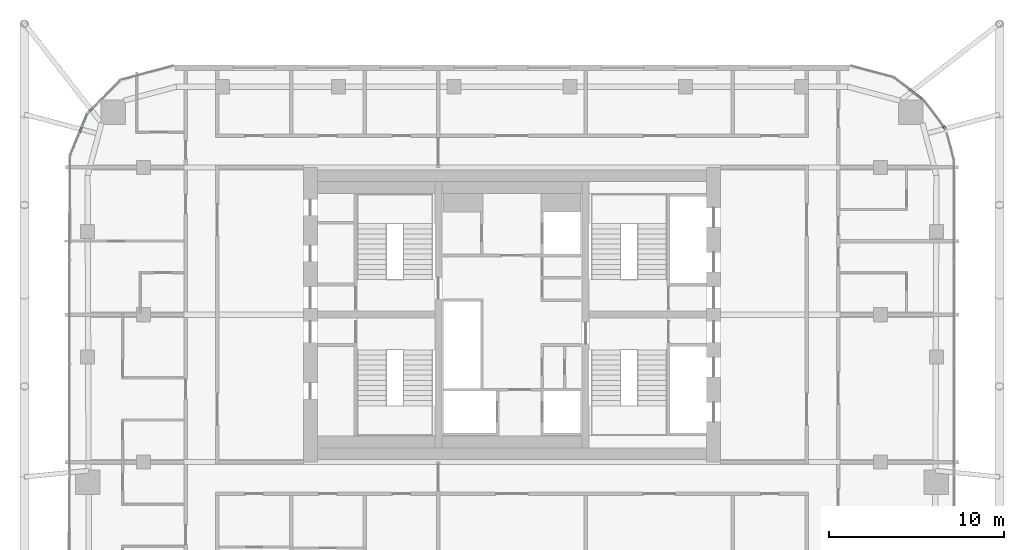
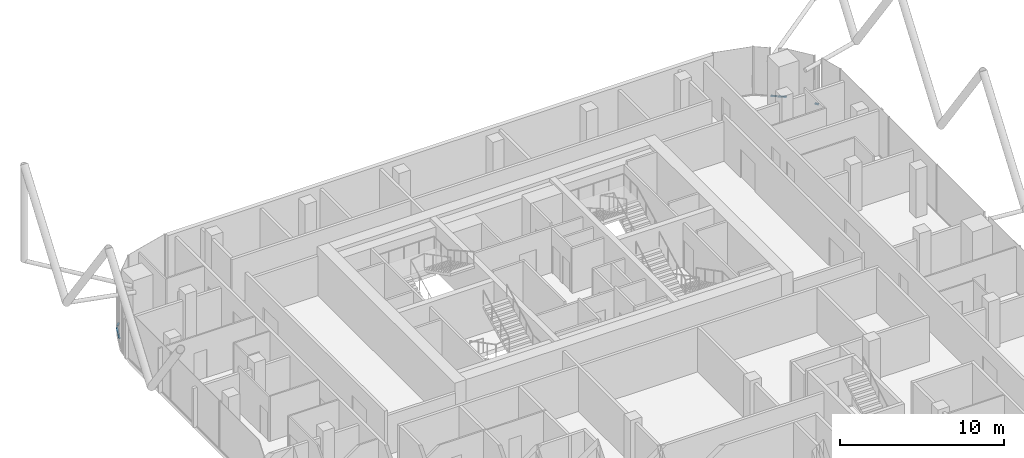
# One storey, part 13 of 31: 6 members, 6 elements without a shape of their own.
"""IFC4 building model written with IfcOpenShell, lengths in metres."""

from ifc_helpers import new_model, si_unit, direction, frame, origin, origin_2d, place, context, subcontext, project, spatial, rectangle, extrude, material, layer, layer_set, material_profile, profile_set, type_object, element, aggregate, save


model = new_model("IFC4")

# Units and contexts
model_context = context("Model", 3, precision=1e-05, world=origin(), true_north=direction((0.0, 1.0)))
body_context = subcontext(model_context, "Body", "Model", "MODEL_VIEW")
ifc_project = project(units=[si_unit("LENGTHUNIT", "METRE"), si_unit("AREAUNIT", "SQUARE_METRE"), si_unit("VOLUMEUNIT", "CUBIC_METRE"), si_unit("PLANEANGLEUNIT", "RADIAN"), si_unit("MASSUNIT", "GRAM", prefix="KILO")], contexts=[model_context])

# Site, building, storey
site_placement = place(None, origin())
site = spatial("IfcSite", under=ifc_project, at=site_placement, CompositionType="ELEMENT")
building_placement = place(site_placement, origin())
building = spatial("IfcBuilding", under=site, at=building_placement, Name="Marenta Gate Hotel Tower", CompositionType="ELEMENT")
storey_placement = place(building_placement, frame((0.0, 0.0, 205.699951171875)))
storey = spatial("IfcBuildingStorey", under=building, at=storey_placement, Name="L47", CompositionType="ELEMENT", Elevation=205.699951171875)

# Curtain wall, member
ifc_material_1 = material(Name="Tinted insulated glass in bronze anodised frame", Category="glass")
ifc_layer = layer(ifc_material_1, 0.1201171875)
ifc_layer_set = layer_set([ifc_layer], Name="Tinted insulated glass in bronze anodised frame")
curtain_wall_type = type_object("IfcCurtainWallType", Name="Tower unitised curtain wall CW1", PredefinedType="NOTDEFINED", material=ifc_layer_set)
curtain_wall_1_placement = place(storey_placement, origin())
curtain_wall_1 = element("IfcCurtainWall", 1, at=curtain_wall_1_placement, inside=storey, type_object=curtain_wall_type, Name="CW1 run G02", PredefinedType="NOTDEFINED")
ifc_material_2 = material(Name="Bronze anodised aluminium", Category="aluminium")
ifc_material_profile = material_profile(ifc_material_2, rectangle(XDim=0.1201171875, YDim=0.06005859375, at=origin_2d()), Name="Transom CW1 60x120 bronze anodised aluminium")
ifc_profile_set = profile_set([ifc_material_profile], Name="Bronze anodised aluminium")
member_type = type_object("IfcMemberType", Name="Transom CW1 60x120 bronze anodised aluminium", PredefinedType="USERDEFINED", material=ifc_profile_set)
member_1_placement = place(storey_placement, frame((-23.884521484375, 20.220458984375, 0.030029296875), z_axis=(-0.707106781187, -0.707106781187, 0.0), x_axis=(0.707106781187, -0.707106781187, 0.0)))
member_1 = element("IfcMember", 2, at=member_1_placement, type_object=member_type, Name="CW1 transom 1.1", ObjectType="TRANSOM", PredefinedType="USERDEFINED", context=body_context, shape_type="SweptSolid", body=[
    extrude(rectangle(XDim=0.1201171875, YDim=0.06005859375, at=origin_2d()), origin(), (0.0, 0.0, 1.0), 0.336669921875),
])
aggregate(curtain_wall_1, [member_1])

curtain_wall_2_placement = place(storey_placement, origin())
curtain_wall_2 = element("IfcCurtainWall", 3, at=curtain_wall_2_placement, inside=storey, type_object=curtain_wall_type, Name="CW1 run G03", PredefinedType="NOTDEFINED")
member_2_placement = place(storey_placement, frame((-24.2265625, 19.845947265625, 0.030029296875), z_axis=(-0.382706726502, -0.92386988342, 0.0), x_axis=(0.92386988342, -0.382706726502, 0.0)))
member_2 = element("IfcMember", 4, at=member_2_placement, type_object=member_type, Name="CW1 transom 1.1", ObjectType="TRANSOM", PredefinedType="USERDEFINED", context=body_context, shape_type="SweptSolid", body=[
    extrude(rectangle(XDim=0.1201171875, YDim=0.06005859375, at=origin_2d()), origin(), (0.0, 0.0, 1.0), 0.708740234375),
])
aggregate(curtain_wall_2, [member_2])

curtain_wall_3_placement = place(storey_placement, origin())
curtain_wall_3 = element("IfcCurtainWall", 5, at=curtain_wall_3_placement, inside=storey, type_object=curtain_wall_type, Name="CW1 run G04", PredefinedType="NOTDEFINED")
member_3_placement = place(storey_placement, frame((-24.520751953125, 19.1357421875, 0.030029296875), z_axis=(-0.382912686497, -0.923784539013, 0.0), x_axis=(0.923784539013, -0.382912686497, 0.0)))
member_3 = element("IfcMember", 6, at=member_3_placement, type_object=member_type, Name="CW1 transom 1.1", ObjectType="TRANSOM", PredefinedType="USERDEFINED", context=body_context, shape_type="SweptSolid", body=[
    extrude(rectangle(XDim=0.1201171875, YDim=0.06005859375, at=origin_2d()), origin(), (0.0, 0.0, 1.0), 0.397216796875),
])
aggregate(curtain_wall_3, [member_3])

curtain_wall_4_placement = place(storey_placement, origin())
curtain_wall_4 = element("IfcCurtainWall", 7, at=curtain_wall_4_placement, inside=storey, type_object=curtain_wall_type, Name="CW1 run G36", PredefinedType="NOTDEFINED")
member_4_placement = place(storey_placement, frame((24.69775390625, 19.030029296875, 0.030029296875), z_axis=(-0.60902605709, 0.793150213885, 0.0), x_axis=(-0.793150213885, -0.60902605709, 0.0)))
member_4 = element("IfcMember", 8, at=member_4_placement, type_object=member_type, Name="CW1 transom 1.1", ObjectType="TRANSOM", PredefinedType="USERDEFINED", context=body_context, shape_type="SweptSolid", body=[
    extrude(rectangle(XDim=0.1201171875, YDim=0.06005859375, at=origin_2d()), origin(), (0.0, 0.0, 1.0), 0.22412109375),
])
aggregate(curtain_wall_4, [member_4])

curtain_wall_5_placement = place(storey_placement, origin())
curtain_wall_5 = element("IfcCurtainWall", 9, at=curtain_wall_5_placement, inside=storey, type_object=curtain_wall_type, Name="CW1 run G38", PredefinedType="NOTDEFINED")
member_5_placement = place(storey_placement, frame((23.405029296875, 20.689208984375, 0.030029296875), z_axis=(-0.793396206785, 0.608705560233, 0.0), x_axis=(-0.608705560233, -0.793396206785, 0.0)))
member_5 = element("IfcMember", 10, at=member_5_placement, type_object=member_type, Name="CW1 transom 1.1", ObjectType="TRANSOM", PredefinedType="USERDEFINED", context=body_context, shape_type="SweptSolid", body=[
    extrude(rectangle(XDim=0.1201171875, YDim=0.06005859375, at=origin_2d()), origin(), (0.0, 0.0, 1.0), 0.5048828125),
])
aggregate(curtain_wall_5, [member_5])

curtain_wall_6_placement = place(storey_placement, origin())
curtain_wall_6 = element("IfcCurtainWall", 11, at=curtain_wall_6_placement, inside=storey, type_object=curtain_wall_type, Name="CW1 run G39", PredefinedType="NOTDEFINED")
member_6_placement = place(storey_placement, frame((22.956787109375, 21.033203125, 0.030029296875), z_axis=(-0.793423480353, 0.608670009796, 0.0), x_axis=(-0.608670009796, -0.793423480353, 0.0)))
member_6 = element("IfcMember", 12, at=member_6_placement, type_object=member_type, Name="CW1 transom 1.1", ObjectType="TRANSOM", PredefinedType="USERDEFINED", context=body_context, shape_type="SweptSolid", body=[
    extrude(rectangle(XDim=0.1201171875, YDim=0.06005859375, at=origin_2d()), origin(), (0.0, 0.0, 1.0), 0.408203125),
])
aggregate(curtain_wall_6, [member_6])

save(model, "model.ifc")
